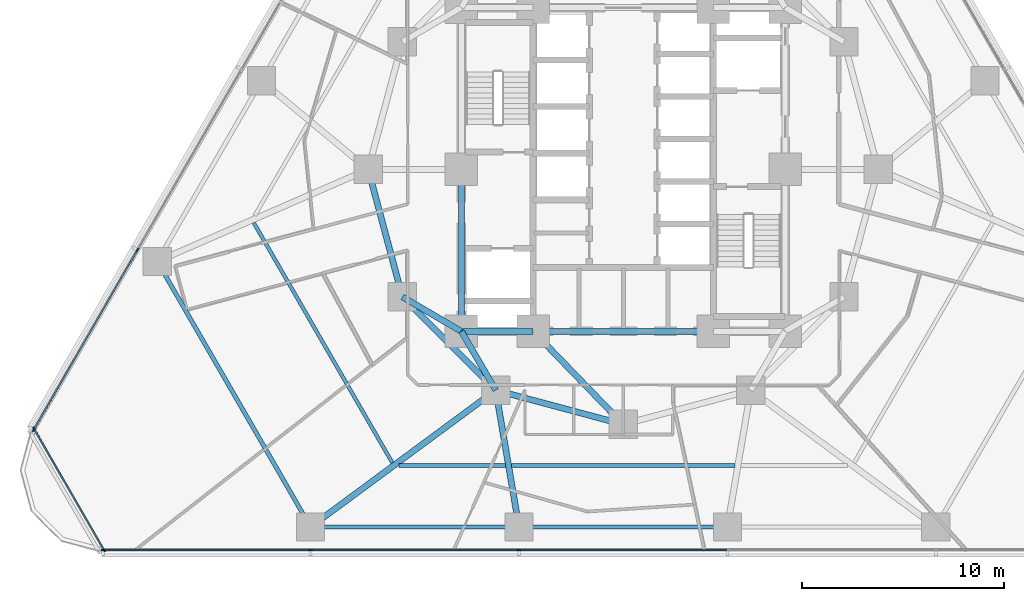
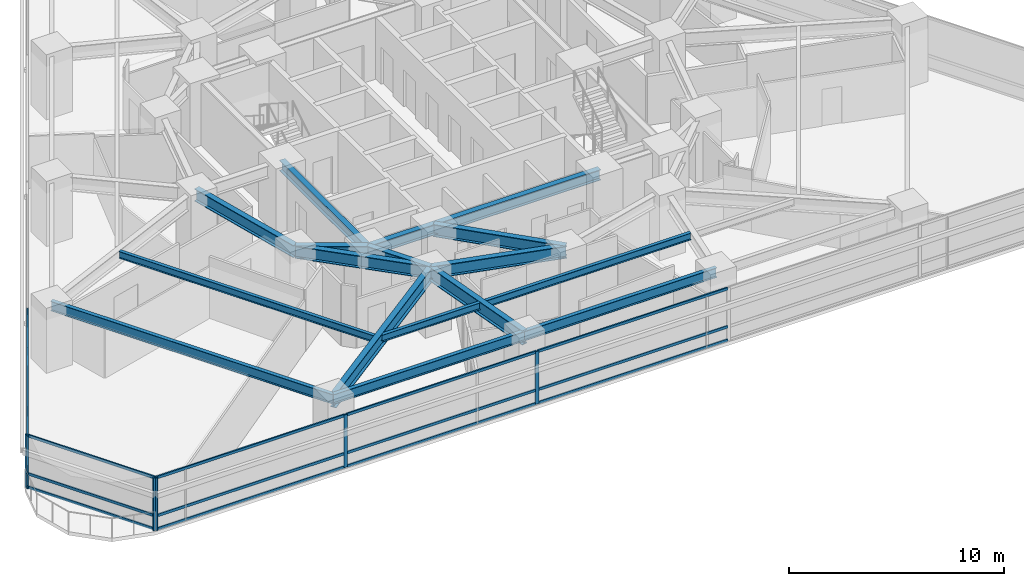
# One storey, part 2 of 15: 22 members, 17 beams, 3 elements without a shape of their own.
"""IFC4 building model written with IfcOpenShell, lengths in metres."""

from ifc_helpers import new_model, si_unit, direction, frame, origin, origin_2d, place, context, subcontext, project, spatial, rectangle, i_section, extrude, material, layer, layer_set, material_profile, profile_set, type_object, element, aggregate, save


model = new_model("IFC4")

# Units and contexts
model_context = context("Model", 3, precision=1e-05, world=origin(), true_north=direction((0.0, 1.0)))
body_context = subcontext(model_context, "Body", "Model", "MODEL_VIEW")
ifc_project = project(units=[si_unit("LENGTHUNIT", "METRE"), si_unit("AREAUNIT", "SQUARE_METRE"), si_unit("VOLUMEUNIT", "CUBIC_METRE"), si_unit("PLANEANGLEUNIT", "RADIAN"), si_unit("MASSUNIT", "GRAM", prefix="KILO")], contexts=[model_context])

# Site, building, storey
site_placement = place(None, origin())
site = spatial("IfcSite", under=ifc_project, at=site_placement, CompositionType="ELEMENT")
building_placement = place(site_placement, origin())
building = spatial("IfcBuilding", under=site, at=building_placement, Name="Terralouvre Media Tower", CompositionType="ELEMENT")
storey_placement = place(building_placement, frame((0.0, 0.0, 48.199951171875)))
storey = spatial("IfcBuildingStorey", under=building, at=storey_placement, Name="L11", CompositionType="ELEMENT", Elevation=48.199951171875)

# Beams
ifc_material_1 = material(Name="Structural steel S355J2", Category="steel")
ifc_material_profile_1 = material_profile(ifc_material_1, i_section(OverallWidth=0.179931640625, OverallDepth=0.39990234375, WebThickness=0.008544921875, FlangeThickness=0.013427734375, at=origin_2d()), Name="IPE 400")
ifc_profile_set_1 = profile_set([ifc_material_profile_1], Name="Structural steel S355J2")
beam_type_1 = type_object("IfcBeamType", Name="Composite Floor Joist J-IPE400 (IPE 400)", PredefinedType="JOIST", material=ifc_profile_set_1)
beam_1_placement = place(storey_placement, frame((-18.2587890625, -2.630615234375, 3.300048828125), z_axis=(0.500011895338, -0.866018535899, 0.0), x_axis=(0.866018535899, 0.500011895338, 0.0)))
element("IfcBeam", 1, at=beam_1_placement, inside=storey, type_object=beam_type_1, Name="L11 Framing Beam JT-L11-01", PredefinedType="JOIST", context=body_context, shape_type="SweptSolid", body=[
    extrude(i_section(OverallWidth=0.179931640625, OverallDepth=0.39990234375, WebThickness=0.008544921875, FlangeThickness=0.013427734375, at=origin_2d()), origin(), (0.0, 0.0, 1.0), 13.702392578125),
])
beam_2_placement = place(storey_placement, frame((-11.08203125, -14.627197265625, 3.300048828125), z_axis=(1.0, 0.0, 0.0), x_axis=(0.0, 1.0, 0.0)))
element("IfcBeam", 2, at=beam_2_placement, inside=storey, type_object=beam_type_1, Name="L11 Framing Beam JT-L11-02", PredefinedType="JOIST", context=body_context, shape_type="SweptSolid", body=[
    extrude(i_section(OverallWidth=0.179931640625, OverallDepth=0.39990234375, WebThickness=0.008544921875, FlangeThickness=0.013427734375, at=origin_2d()), origin(), (0.0, 0.0, 1.0), 5.264404296875),
])
beam_3_placement = place(storey_placement, frame((-5.517333984375, -14.627197265625, 3.300048828125), z_axis=(1.0, 0.0, 0.0), x_axis=(0.0, 1.0, 0.0)))
element("IfcBeam", 3, at=beam_3_placement, inside=storey, type_object=beam_type_1, Name="L11 Framing Beam JT-L11-03", PredefinedType="JOIST", context=body_context, shape_type="SweptSolid", body=[
    extrude(i_section(OverallWidth=0.179931640625, OverallDepth=0.39990234375, WebThickness=0.008544921875, FlangeThickness=0.013427734375, at=origin_2d()), origin(), (0.0, 0.0, 1.0), 11.03466796875),
])

# Curtain wall, members
ifc_material_2 = material(Name="Low-iron laminated double glazing with solar-control coating", Category="glass")
ifc_layer_1 = layer(ifc_material_2, 0.1650390625, Name="Lower Media Tower Unitised Curtain Wall CW-02")
ifc_layer_set_1 = layer_set([ifc_layer_1], Name="Low-iron laminated double glazing with solar-control coating")
curtain_wall_type_1 = type_object("IfcCurtainWallType", Name="Lower Media Tower Unitised Curtain Wall CW-02", PredefinedType="NOTDEFINED", material=ifc_layer_set_1)
curtain_wall_1_placement = place(storey_placement, origin())
curtain_wall_1 = element("IfcCurtainWall", 4, at=curtain_wall_1_placement, inside=storey, type_object=curtain_wall_type_1, Name="L11 Facade Curtain Wall F0", PredefinedType="NOTDEFINED")
ifc_material_3 = material(Name="Anodised extruded aluminium 6063-T6", Category="aluminium")
ifc_material_profile_2 = material_profile(ifc_material_3, rectangle(XDim=0.074951171875, YDim=0.14990234375, at=origin_2d()), Name="ALU 75x150")
ifc_profile_set_2 = profile_set([ifc_material_profile_2], Name="Anodised extruded aluminium 6063-T6")
member_type_1 = type_object("IfcMemberType", Name="Curtain-Wall Horizontal Transom TR-150", PredefinedType="USERDEFINED", material=ifc_profile_set_2)
member_1_placement = place(storey_placement, frame((-25.675048828125, -18.796875, 0.03759765625), z_axis=(1.0, 0.0, 0.0), x_axis=(0.0, 1.0, 0.0)))
member_1 = element("IfcMember", 5, at=member_1_placement, type_object=member_type_1, Name="CW-02 transom 1.1", ObjectType="TRANSOM", PredefinedType="USERDEFINED", context=body_context, shape_type="SweptSolid", body=[
    extrude(rectangle(XDim=0.074951171875, YDim=0.14990234375, at=origin_2d()), origin(), (0.0, 0.0, 1.0), 10.1875),
])
member_2_placement = place(storey_placement, frame((-25.675048828125, -18.796875, 0.800048828125), z_axis=(1.0, 0.0, 0.0), x_axis=(0.0, 1.0, 0.0)))
member_2 = element("IfcMember", 6, at=member_2_placement, type_object=member_type_1, Name="CW-02 transom 1.2", ObjectType="TRANSOM", PredefinedType="USERDEFINED", context=body_context, shape_type="SweptSolid", body=[
    extrude(rectangle(XDim=0.074951171875, YDim=0.14990234375, at=origin_2d()), origin(), (0.0, 0.0, 1.0), 10.1875),
])
member_3_placement = place(storey_placement, frame((-25.675048828125, -18.796875, 2.962646484375), z_axis=(1.0, 0.0, 0.0), x_axis=(0.0, 1.0, 0.0)))
member_3 = element("IfcMember", 7, at=member_3_placement, type_object=member_type_1, Name="CW-02 transom 1.3", ObjectType="TRANSOM", PredefinedType="USERDEFINED", context=body_context, shape_type="SweptSolid", body=[
    extrude(rectangle(XDim=0.074951171875, YDim=0.14990234375, at=origin_2d()), origin(), (0.0, 0.0, 1.0), 10.1875),
])
member_4_placement = place(storey_placement, frame((-15.41259765625, -18.796875, 0.03759765625), z_axis=(1.0, 0.0, 0.0), x_axis=(0.0, 1.0, 0.0)))
member_4 = element("IfcMember", 8, at=member_4_placement, type_object=member_type_1, Name="CW-02 transom 2.1", ObjectType="TRANSOM", PredefinedType="USERDEFINED", context=body_context, shape_type="SweptSolid", body=[
    extrude(rectangle(XDim=0.074951171875, YDim=0.14990234375, at=origin_2d()), origin(), (0.0, 0.0, 1.0), 10.22509765625),
])
member_5_placement = place(storey_placement, frame((-15.41259765625, -18.796875, 0.800048828125), z_axis=(1.0, 0.0, 0.0), x_axis=(0.0, 1.0, 0.0)))
member_5 = element("IfcMember", 9, at=member_5_placement, type_object=member_type_1, Name="CW-02 transom 2.2", ObjectType="TRANSOM", PredefinedType="USERDEFINED", context=body_context, shape_type="SweptSolid", body=[
    extrude(rectangle(XDim=0.074951171875, YDim=0.14990234375, at=origin_2d()), origin(), (0.0, 0.0, 1.0), 10.22509765625),
])
member_6_placement = place(storey_placement, frame((-15.41259765625, -18.796875, 2.962646484375), z_axis=(1.0, 0.0, 0.0), x_axis=(0.0, 1.0, 0.0)))
member_6 = element("IfcMember", 10, at=member_6_placement, type_object=member_type_1, Name="CW-02 transom 2.3", ObjectType="TRANSOM", PredefinedType="USERDEFINED", context=body_context, shape_type="SweptSolid", body=[
    extrude(rectangle(XDim=0.074951171875, YDim=0.14990234375, at=origin_2d()), origin(), (0.0, 0.0, 1.0), 10.22509765625),
])
member_7_placement = place(storey_placement, frame((-5.112548828125, -18.796875, 0.03759765625), z_axis=(1.0, 0.0, 0.0), x_axis=(0.0, 1.0, 0.0)))
member_7 = element("IfcMember", 11, at=member_7_placement, type_object=member_type_1, Name="CW-02 transom 3.1", ObjectType="TRANSOM", PredefinedType="USERDEFINED", context=body_context, shape_type="SweptSolid", body=[
    extrude(rectangle(XDim=0.074951171875, YDim=0.14990234375, at=origin_2d()), origin(), (0.0, 0.0, 1.0), 10.22509765625),
])
member_8_placement = place(storey_placement, frame((-5.112548828125, -18.796875, 0.800048828125), z_axis=(1.0, 0.0, 0.0), x_axis=(0.0, 1.0, 0.0)))
member_8 = element("IfcMember", 12, at=member_8_placement, type_object=member_type_1, Name="CW-02 transom 3.2", ObjectType="TRANSOM", PredefinedType="USERDEFINED", context=body_context, shape_type="SweptSolid", body=[
    extrude(rectangle(XDim=0.074951171875, YDim=0.14990234375, at=origin_2d()), origin(), (0.0, 0.0, 1.0), 10.22509765625),
])
member_9_placement = place(storey_placement, frame((-5.112548828125, -18.796875, 2.962646484375), z_axis=(1.0, 0.0, 0.0), x_axis=(0.0, 1.0, 0.0)))
member_9 = element("IfcMember", 13, at=member_9_placement, type_object=member_type_1, Name="CW-02 transom 3.3", ObjectType="TRANSOM", PredefinedType="USERDEFINED", context=body_context, shape_type="SweptSolid", body=[
    extrude(rectangle(XDim=0.074951171875, YDim=0.14990234375, at=origin_2d()), origin(), (0.0, 0.0, 1.0), 10.22509765625),
])

curtain_wall_2_placement = place(storey_placement, origin())
curtain_wall_2 = element("IfcCurtainWall", 14, at=curtain_wall_2_placement, inside=storey, type_object=curtain_wall_type_1, Name="L11 Facade Curtain Wall F2", PredefinedType="NOTDEFINED")
member_10_placement = place(storey_placement, frame((-24.022216796875, -4.01416015625, 0.03759765625), z_axis=(-0.499994895054, -0.866028351106, 0.0), x_axis=(0.866028351106, -0.499994895054, 0.0)))
member_10 = element("IfcMember", 15, at=member_10_placement, type_object=member_type_1, Name="CW-02 transom 5.1", ObjectType="TRANSOM", PredefinedType="USERDEFINED", context=body_context, shape_type="SweptSolid", body=[
    extrude(rectangle(XDim=0.074951171875, YDim=0.14990234375, at=origin_2d()), origin(), (0.0, 0.0, 1.0), 10.1875),
])
member_11_placement = place(storey_placement, frame((-24.022216796875, -4.01416015625, 0.800048828125), z_axis=(-0.499994895054, -0.866028351106, 0.0), x_axis=(0.866028351106, -0.499994895054, 0.0)))
member_11 = element("IfcMember", 16, at=member_11_placement, type_object=member_type_1, Name="CW-02 transom 5.2", ObjectType="TRANSOM", PredefinedType="USERDEFINED", context=body_context, shape_type="SweptSolid", body=[
    extrude(rectangle(XDim=0.074951171875, YDim=0.14990234375, at=origin_2d()), origin(), (0.0, 0.0, 1.0), 10.1875),
])
member_12_placement = place(storey_placement, frame((-24.022216796875, -4.01416015625, 2.962646484375), z_axis=(-0.499994895054, -0.866028351106, 0.0), x_axis=(0.866028351106, -0.499994895054, 0.0)))
member_12 = element("IfcMember", 17, at=member_12_placement, type_object=member_type_1, Name="CW-02 transom 5.3", ObjectType="TRANSOM", PredefinedType="USERDEFINED", context=body_context, shape_type="SweptSolid", body=[
    extrude(rectangle(XDim=0.074951171875, YDim=0.14990234375, at=origin_2d()), origin(), (0.0, 0.0, 1.0), 10.1875),
])

ifc_material_4 = material(Name="Low-iron laminated double glazing with solar-control coating", Category="glass")
ifc_layer_2 = layer(ifc_material_4, 0.1650390625, Name="Rounded Wind-Corner Curved Glazing CW-04")
ifc_layer_set_2 = layer_set([ifc_layer_2], Name="Low-iron laminated double glazing with solar-control coating")
curtain_wall_type_2 = type_object("IfcCurtainWallType", Name="Rounded Wind-Corner Curved Glazing CW-04", PredefinedType="NOTDEFINED", material=ifc_layer_set_2)
curtain_wall_3_placement = place(storey_placement, origin())
curtain_wall_3 = element("IfcCurtainWall", 18, at=curtain_wall_3_placement, inside=storey, type_object=curtain_wall_type_2, Name="L11 Rounded Wind-Corner Curtain Wall C0", PredefinedType="NOTDEFINED")
member_13_placement = place(storey_placement, frame((-29.0986328125, -12.836669921875, 0.03759765625), z_axis=(0.499998495495, -0.866026272409, 0.0), x_axis=(0.866026272409, 0.499998495495, 0.0)))
member_13 = element("IfcMember", 19, at=member_13_placement, type_object=member_type_1, Name="CW-04 transom 1.1", ObjectType="TRANSOM", PredefinedType="USERDEFINED", context=body_context, shape_type="SweptSolid", body=[
    extrude(rectangle(XDim=0.074951171875, YDim=0.14990234375, at=origin_2d()), origin(), (0.0, 0.0, 1.0), 6.86474609375),
])
member_14_placement = place(storey_placement, frame((-29.0986328125, -12.836669921875, 0.800048828125), z_axis=(0.499998495495, -0.866026272409, 0.0), x_axis=(0.866026272409, 0.499998495495, 0.0)))
member_14 = element("IfcMember", 20, at=member_14_placement, type_object=member_type_1, Name="CW-04 transom 1.2", ObjectType="TRANSOM", PredefinedType="USERDEFINED", context=body_context, shape_type="SweptSolid", body=[
    extrude(rectangle(XDim=0.074951171875, YDim=0.14990234375, at=origin_2d()), origin(), (0.0, 0.0, 1.0), 6.86474609375),
])
member_15_placement = place(storey_placement, frame((-29.0986328125, -12.836669921875, 2.962646484375), z_axis=(0.499998495495, -0.866026272409, 0.0), x_axis=(0.866026272409, 0.499998495495, 0.0)))
member_15 = element("IfcMember", 21, at=member_15_placement, type_object=member_type_1, Name="CW-04 transom 1.3", ObjectType="TRANSOM", PredefinedType="USERDEFINED", context=body_context, shape_type="SweptSolid", body=[
    extrude(rectangle(XDim=0.074951171875, YDim=0.14990234375, at=origin_2d()), origin(), (0.0, 0.0, 1.0), 6.86474609375),
])

# Member
ifc_material_5 = material(Name="Anodised extruded aluminium 6063-T6", Category="aluminium")
ifc_material_profile_3 = material_profile(ifc_material_5, rectangle(XDim=0.074951171875, YDim=0.179931640625, at=origin_2d()), Name="ALU 75x180")
ifc_profile_set_3 = profile_set([ifc_material_profile_3], Name="Anodised extruded aluminium 6063-T6")
member_type_2 = type_object("IfcMemberType", Name="Curtain-Wall Vertical Mullion ML-180", PredefinedType="MULLION", material=ifc_profile_set_3)
member_16_placement = place(storey_placement, frame((-25.71240234375, -18.796875, 0.0), z_axis=(0.0, 0.0, 1.0), x_axis=(0.0, 1.0, 0.0)))
member_16 = element("IfcMember", 22, at=member_16_placement, type_object=member_type_2, Name="CW-02 mullion 1", PredefinedType="MULLION", context=body_context, shape_type="SweptSolid", body=[
    extrude(rectangle(XDim=0.074951171875, YDim=0.179931640625, at=origin_2d()), origin(), (0.0, 0.0, 1.0), 3.0),
])

member_17_placement = place(storey_placement, frame((-15.449951171875, -18.796875, 0.0), z_axis=(0.0, 0.0, 1.0), x_axis=(0.0, 1.0, 0.0)))
member_17 = element("IfcMember", 23, at=member_17_placement, type_object=member_type_2, Name="CW-02 mullion 2", PredefinedType="MULLION", context=body_context, shape_type="SweptSolid", body=[
    extrude(rectangle(XDim=0.074951171875, YDim=0.179931640625, at=origin_2d()), origin(), (0.0, 0.0, 1.0), 3.0),
])

member_18_placement = place(storey_placement, frame((-5.14990234375, -18.796875, 0.0), z_axis=(0.0, 0.0, 1.0), x_axis=(0.0, 1.0, 0.0)))
member_18 = element("IfcMember", 24, at=member_18_placement, type_object=member_type_2, Name="CW-02 mullion 3", PredefinedType="MULLION", context=body_context, shape_type="SweptSolid", body=[
    extrude(rectangle(XDim=0.074951171875, YDim=0.179931640625, at=origin_2d()), origin(), (0.0, 0.0, 1.0), 3.0),
])

aggregate(curtain_wall_1, [member_16, member_17, member_18, member_1, member_2, member_3, member_4, member_5, member_6, member_7, member_8, member_9])

member_19_placement = place(storey_placement, frame((-24.00341796875, -3.981689453125, 0.0), z_axis=(0.0, 0.0, 1.0), x_axis=(0.866025412057, -0.499999985671, 0.0)))
member_19 = element("IfcMember", 25, at=member_19_placement, type_object=member_type_2, Name="CW-02 mullion 5", PredefinedType="MULLION", context=body_context, shape_type="SweptSolid", body=[
    extrude(rectangle(XDim=0.074951171875, YDim=0.179931640625, at=origin_2d()), origin(), (0.0, 0.0, 1.0), 3.0),
])

member_20_placement = place(storey_placement, frame((-29.134765625, -12.869384765625, 0.0), z_axis=(0.0, 0.0, 1.0), x_axis=(0.866025412057, -0.499999985671, 0.0)))
member_20 = element("IfcMember", 26, at=member_20_placement, type_object=member_type_2, Name="CW-02 mullion 6", PredefinedType="MULLION", context=body_context, shape_type="SweptSolid", body=[
    extrude(rectangle(XDim=0.074951171875, YDim=0.179931640625, at=origin_2d()), origin(), (0.0, 0.0, 1.0), 3.0),
])

aggregate(curtain_wall_2, [member_19, member_20, member_10, member_11, member_12])

member_21_placement = place(storey_placement, frame((-29.117431640625, -12.80419921875, 0.0), z_axis=(0.0, 0.0, 1.0), x_axis=(0.866025581895, 0.499999691503, 0.0)))
member_21 = element("IfcMember", 27, at=member_21_placement, type_object=member_type_2, Name="CW-04 mullion 1", PredefinedType="MULLION", context=body_context, shape_type="SweptSolid", body=[
    extrude(rectangle(XDim=0.074951171875, YDim=0.179931640625, at=origin_2d()), origin(), (0.0, 0.0, 1.0), 3.0),
])

member_22_placement = place(storey_placement, frame((-25.6474609375, -18.814208984375, 0.0), z_axis=(0.0, 0.0, 1.0), x_axis=(0.866025581895, 0.499999691503, 0.0)))
member_22 = element("IfcMember", 28, at=member_22_placement, type_object=member_type_2, Name="CW-04 mullion 2", PredefinedType="MULLION", context=body_context, shape_type="SweptSolid", body=[
    extrude(rectangle(XDim=0.074951171875, YDim=0.179931640625, at=origin_2d()), origin(), (0.0, 0.0, 1.0), 3.0),
])

aggregate(curtain_wall_3, [member_21, member_22, member_13, member_14, member_15])

# Beams
ifc_material_6 = material(Name="Structural steel S355J2", Category="steel")
ifc_material_profile_4 = material_profile(ifc_material_6, i_section(OverallWidth=0.2099609375, OverallDepth=0.550048828125, WebThickness=0.010986328125, FlangeThickness=0.01708984375, at=origin_2d()), Name="IPE 550")
ifc_profile_set_4 = profile_set([ifc_material_profile_4], Name="Structural steel S355J2")
beam_type_2 = type_object("IfcBeamType", Name="Perimeter Spandrel Beam SPB-550 (IPE 550)", PredefinedType="SPANDREL", material=ifc_profile_set_4)
beam_4_placement = place(storey_placement, frame((-23.02490234375, -4.546630859375, 3.22509765625), z_axis=(0.500002375365, -0.866024032363, 0.0), x_axis=(0.866024032363, 0.500002375365, 0.0)))
element("IfcBeam", 29, at=beam_4_placement, inside=storey, type_object=beam_type_2, Name="L11 Framing Beam BM-L11-PR01", PredefinedType="SPANDREL", context=body_context, shape_type="SweptSolid", body=[
    extrude(i_section(OverallWidth=0.2099609375, OverallDepth=0.550048828125, WebThickness=0.010986328125, FlangeThickness=0.01708984375, at=origin_2d()), origin(), (0.0, 0.0, 1.0), 15.14990234375),
])
beam_5_placement = place(storey_placement, frame((-15.449951171875, -17.666748046875, 3.22509765625), z_axis=(1.0, 0.0, 0.0), x_axis=(0.0, 1.0, 0.0)))
element("IfcBeam", 30, at=beam_5_placement, inside=storey, type_object=beam_type_2, Name="L11 Framing Beam BM-L11-PR02", PredefinedType="SPANDREL", context=body_context, shape_type="SweptSolid", body=[
    extrude(i_section(OverallWidth=0.2099609375, OverallDepth=0.550048828125, WebThickness=0.010986328125, FlangeThickness=0.01708984375, at=origin_2d()), origin(), (0.0, 0.0, 1.0), 10.300048828125),
])
beam_6_placement = place(storey_placement, frame((-5.14990234375, -17.666748046875, 3.22509765625), z_axis=(1.0, 0.0, 0.0), x_axis=(0.0, 1.0, 0.0)))
element("IfcBeam", 31, at=beam_6_placement, inside=storey, type_object=beam_type_2, Name="L11 Framing Beam BM-L11-PR03", PredefinedType="SPANDREL", context=body_context, shape_type="SweptSolid", body=[
    extrude(i_section(OverallWidth=0.2099609375, OverallDepth=0.550048828125, WebThickness=0.010986328125, FlangeThickness=0.01708984375, at=origin_2d()), origin(), (0.0, 0.0, 1.0), 10.2998046875),
])
ifc_material_7 = material(Name="Structural steel S460M", Category="steel")
ifc_material_profile_5 = material_profile(ifc_material_7, i_section(OverallWidth=0.300048828125, OverallDepth=0.60009765625, WebThickness=0.015380859375, FlangeThickness=0.030029296875, at=origin_2d()), Name="HEB 600")
ifc_profile_set_5 = profile_set([ifc_material_profile_5], Name="Structural steel S460M")
beam_type_3 = type_object("IfcBeamType", Name="Primary Floor Girder B-HEB600 (HEB 600)", PredefinedType="BEAM", material=ifc_profile_set_5)
beam_7_placement = place(storey_placement, frame((-8.0, -8.0, 3.199951171875), z_axis=(1.0, 0.0, 0.0), x_axis=(0.0, 1.0, 0.0)))
element("IfcBeam", 32, at=beam_7_placement, inside=storey, type_object=beam_type_3, Name="L11 Framing Beam BM-L11-CPR01", PredefinedType="BEAM", context=body_context, shape_type="SweptSolid", body=[
    extrude(i_section(OverallWidth=0.300048828125, OverallDepth=0.60009765625, WebThickness=0.015380859375, FlangeThickness=0.030029296875, at=origin_2d()), origin(), (0.0, 0.0, 1.0), 3.550048828125),
])
beam_8_placement = place(storey_placement, frame((-4.449951171875, -8.0, 3.199951171875), z_axis=(1.0, 0.0, 0.0), x_axis=(0.0, 1.0, 0.0)))
element("IfcBeam", 33, at=beam_8_placement, inside=storey, type_object=beam_type_3, Name="L11 Framing Beam BM-L11-CPR02", PredefinedType="BEAM", context=body_context, shape_type="SweptSolid", body=[
    extrude(i_section(OverallWidth=0.300048828125, OverallDepth=0.60009765625, WebThickness=0.015380859375, FlangeThickness=0.030029296875, at=origin_2d()), origin(), (0.0, 0.0, 1.0), 8.89990234375),
])
beam_9_placement = place(storey_placement, frame((-8.0, 0.0, 3.199951171875), z_axis=(0.0, -1.0, 0.0), x_axis=(1.0, 0.0, 0.0)))
element("IfcBeam", 34, at=beam_9_placement, inside=storey, type_object=beam_type_3, Name="L11 Framing Beam BM-L11-CPR10", PredefinedType="BEAM", context=body_context, shape_type="SweptSolid", body=[
    extrude(i_section(OverallWidth=0.300048828125, OverallDepth=0.60009765625, WebThickness=0.015380859375, FlangeThickness=0.030029296875, at=origin_2d()), origin(), (0.0, 0.0, 1.0), 8.0),
])
ifc_material_8 = material(Name="Structural steel S460M", Category="steel")
ifc_material_profile_6 = material_profile(ifc_material_8, i_section(OverallWidth=0.300048828125, OverallDepth=0.699951171875, WebThickness=0.01708984375, FlangeThickness=0.031982421875, at=origin_2d()), Name="HEB 700")
ifc_profile_set_6 = profile_set([ifc_material_profile_6], Name="Structural steel S460M")
beam_type_4 = type_object("IfcBeamType", Name="Primary Floor Girder B-HEB700 (HEB 700)", PredefinedType="BEAM", material=ifc_profile_set_6)
beam_10_placement = place(storey_placement, frame((-10.911865234375, -6.300048828125, 3.150146484375), z_axis=(0.707106781187, -0.707106781187, 0.0), x_axis=(0.707106781187, 0.707106781187, 0.0)))
element("IfcBeam", 35, at=beam_10_placement, inside=storey, type_object=beam_type_4, Name="L11 Framing Beam BM-L11-MR01", PredefinedType="BEAM", context=body_context, shape_type="SweptSolid", body=[
    extrude(i_section(OverallWidth=0.300048828125, OverallDepth=0.699951171875, WebThickness=0.01708984375, FlangeThickness=0.031982421875, at=origin_2d()), origin(), (0.0, 0.0, 1.0), 6.52197265625),
])
for number, where, z_axis, x_axis, name in (
    (36, (-6.300048828125, -10.911865234375, 3.150146484375), (0.965920481897, -0.258838989821, 0.0), (0.258838989821, 0.965920481897, 0.0), "L11 Framing Beam BM-L11-MR02"),
    (37, (-12.60009765625, 0.0, 3.150146484375), (0.258838989821, -0.965920481897, 0.0), (0.965920481897, 0.258838989821, 0.0), "L11 Framing Beam BM-L11-MR12"),
):
    element("IfcBeam", number, at=place(storey_placement, frame(where, z_axis=z_axis, x_axis=x_axis)), inside=storey, type_object=beam_type_4, Name=name, PredefinedType="BEAM", context=body_context, shape_type="SweptSolid", body=[
        extrude(i_section(OverallWidth=0.300048828125, OverallDepth=0.699951171875, WebThickness=0.01708984375, FlangeThickness=0.031982421875, at=origin_2d()), origin(), (0.0, 0.0, 1.0), 6.522216796875),
    ])
for number, where, z_axis, x_axis, name in (
    (38, (-8.0, -8.0, 3.150146484375), (-0.863602894532, 0.504172629717, 0.0), (-0.504172629717, -0.863602894532, 0.0), "L11 Framing Beam BM-L11-CM01"),
    (39, (-8.0, -8.0, 3.150146484375), (0.504172629717, -0.863602894532, 0.0), (0.863602894532, 0.504172629717, 0.0), "L11 Framing Beam BM-L11-CM02"),
):
    element("IfcBeam", number, at=place(storey_placement, frame(where, z_axis=z_axis, x_axis=x_axis)), inside=storey, type_object=beam_type_4, Name=name, PredefinedType="BEAM", context=body_context, shape_type="SweptSolid", body=[
        extrude(i_section(OverallWidth=0.300048828125, OverallDepth=0.699951171875, WebThickness=0.01708984375, FlangeThickness=0.031982421875, at=origin_2d()), origin(), (0.0, 0.0, 1.0), 3.371826171875),
    ])
beam_11_placement = place(storey_placement, frame((-4.449951171875, -8.0, 3.150146484375), z_axis=(0.695279715726, -0.718739255155, 0.0), x_axis=(0.718739255155, 0.695279715726, 0.0)))
element("IfcBeam", 40, at=beam_11_placement, inside=storey, type_object=beam_type_4, Name="L11 Framing Beam BM-L11-CM03", PredefinedType="BEAM", context=body_context, shape_type="SweptSolid", body=[
    extrude(i_section(OverallWidth=0.300048828125, OverallDepth=0.699951171875, WebThickness=0.01708984375, FlangeThickness=0.031982421875, at=origin_2d()), origin(), (0.0, 0.0, 1.0), 6.400146484375),
])
ifc_material_9 = material(Name="Structural steel S460M", Category="steel")
ifc_material_profile_7 = material_profile(ifc_material_9, i_section(OverallWidth=0.300048828125, OverallDepth=0.800048828125, WebThickness=0.017578125, FlangeThickness=0.032958984375, at=origin_2d()), Name="HEB 800")
ifc_profile_set_7 = profile_set([ifc_material_profile_7], Name="Structural steel S460M")
beam_type_5 = type_object("IfcBeamType", Name="Primary Floor Girder B-HEB800 (HEB 800)", PredefinedType="BEAM", material=ifc_profile_set_7)
beam_12_placement = place(storey_placement, frame((-6.300048828125, -10.911865234375, 3.10009765625), z_axis=(-0.804515955091, -0.593931038088, 0.0), x_axis=(0.593931038088, -0.804515955091, 0.0)))
element("IfcBeam", 41, at=beam_12_placement, inside=storey, type_object=beam_type_5, Name="L11 Framing Beam BM-L11-RD02", PredefinedType="BEAM", context=body_context, shape_type="SweptSolid", body=[
    extrude(i_section(OverallWidth=0.300048828125, OverallDepth=0.800048828125, WebThickness=0.017578125, FlangeThickness=0.032958984375, at=origin_2d()), origin(), (0.0, 0.0, 1.0), 11.373291015625),
])
beam_13_placement = place(storey_placement, frame((-6.300048828125, -10.911865234375, 3.10009765625), z_axis=(0.167853129882, -0.98581201392, 0.0), x_axis=(0.98581201392, 0.167853129882, 0.0)))
element("IfcBeam", 42, at=beam_13_placement, inside=storey, type_object=beam_type_5, Name="L11 Framing Beam BM-L11-RD03", PredefinedType="BEAM", context=body_context, shape_type="SweptSolid", body=[
    extrude(i_section(OverallWidth=0.300048828125, OverallDepth=0.800048828125, WebThickness=0.017578125, FlangeThickness=0.032958984375, at=origin_2d()), origin(), (0.0, 0.0, 1.0), 6.85205078125),
])

save(model, "model.ifc")
